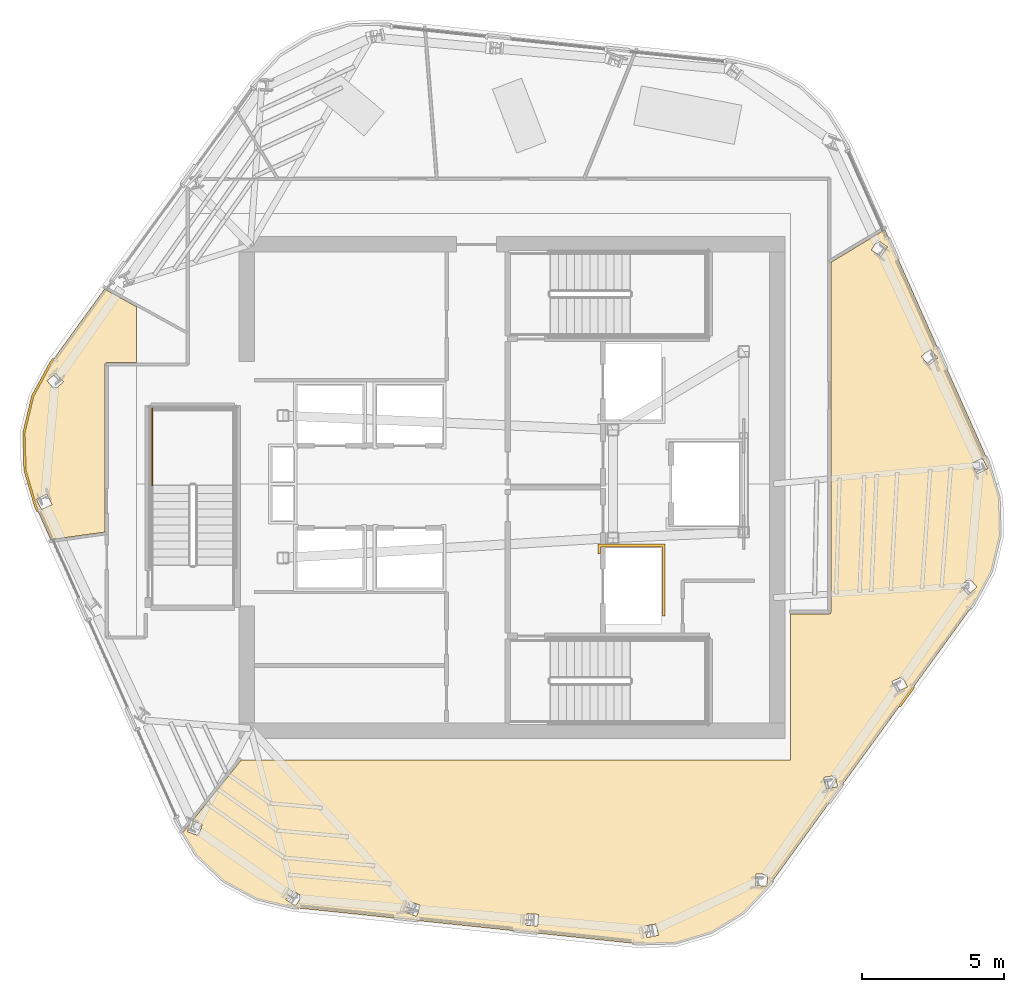
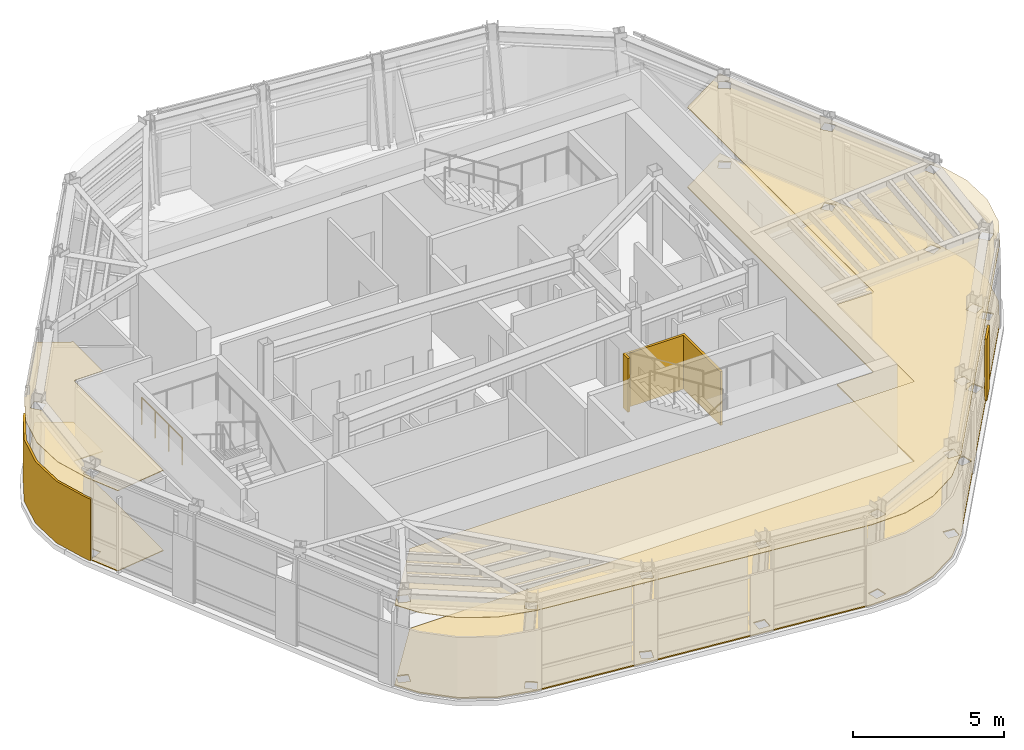
# One storey, part 9 of 12: 7 coverings, 1 railing.
"""IFC4 building model written with IfcOpenShell, lengths in metres."""

import ifcopenshell
import ifcopenshell.guid

model = None  # the IFC model being written
_history = None  # IfcOwnerHistory: only IFC2X3 demands one
_inside = {}  # id of a spatial element -> (the spatial element, [elements in it])
_under = {}  # id of a project, library or spatial element -> (it, [spatial elements below it])
_declared = {}  # id of a project -> (the project, [libraries it declares])
_typed = {}  # id of a type object -> (the type object, [elements of that type])
_made_of = {}  # id of a material, layer set ... -> (it, [elements and type objects made of it])


def new_model(schema):
    """Start an empty IFC model of exactly this schema.

    Asked for "IFC4X3", IfcOpenShell would pick the latest addendum, in which some entities
    have other attributes; the version numbers below select the first issue.
    IFC2X3 requires an IfcOwnerHistory on every rooted entity: one is made here for all.
    """
    global model, _history
    if schema == "IFC4X3":
        model = ifcopenshell.file(schema_version=(4, 3, 0, 0))
    else:
        model = ifcopenshell.file(schema=schema)
    _inside.clear()
    _under.clear()
    _declared.clear()
    _typed.clear()
    _made_of.clear()
    _history = None
    if model.schema == "IFC2X3":
        org = make("IfcOrganization", Name="unknown")
        user = make(
            "IfcPersonAndOrganization",
            ThePerson=make("IfcPerson", FamilyName="unknown"),
            TheOrganization=org,
        )
        app = make(
            "IfcApplication",
            ApplicationDeveloper=org,
            Version="unknown",
            ApplicationFullName="unknown",
            ApplicationIdentifier="unknown",
        )
        _history = make(
            "IfcOwnerHistory",
            OwningUser=user,
            OwningApplication=app,
            ChangeAction="ADDED",
            CreationDate=0,
        )
    return model


def make(cls, **values):
    """One entity of the class cls with the attributes given. An attribute that is None is left unset."""
    return model.create_entity(
        cls, **{name: value for name, value in values.items() if value is not None}
    )


def rooted(cls, **values):
    """An entity with a GlobalId (a new one), such as an element, a storey or a relation."""
    return make(cls, GlobalId=ifcopenshell.guid.new(), OwnerHistory=_history, **values)


def si_unit(unit_type, name, prefix=None):
    """IfcSIUnit, for example si_unit("LENGTHUNIT", "METRE", prefix="MILLI")."""
    return make("IfcSIUnit", UnitType=unit_type, Prefix=prefix, Name=name)


def assignment(units):
    """IfcUnitAssignment: the units of a project."""
    return None if units is None else make("IfcUnitAssignment", Units=units)


def point(xyz):
    """IfcCartesianPoint."""
    return None if xyz is None else make("IfcCartesianPoint", Coordinates=xyz)


def direction(xyz):
    """IfcDirection."""
    return None if xyz is None else make("IfcDirection", DirectionRatios=xyz)


def frame(location, z_axis=None, x_axis=None):
    """IfcAxis2Placement3D, a coordinate frame: its origin and axes. An axis left out is left unset."""
    return make(
        "IfcAxis2Placement3D",
        Location=point(location),
        Axis=direction(z_axis),
        RefDirection=direction(x_axis),
    )


def frame_2d(location, x_axis=None):
    """IfcAxis2Placement2D, a coordinate frame in the plane: its origin and x axis."""
    return make(
        "IfcAxis2Placement2D", Location=point(location), RefDirection=direction(x_axis)
    )


def origin():
    """The frame at (0, 0, 0) with its axes left unset."""
    return frame((0.0, 0.0, 0.0))


def origin_2d():
    """The frame at (0, 0) in the plane with its x axis left unset."""
    return frame_2d((0.0, 0.0))


def place(relative_to, where):
    """IfcLocalPlacement: puts the frame where relative to a parent placement (None: the world)."""
    return make(
        "IfcLocalPlacement", PlacementRelTo=relative_to, RelativePlacement=where
    )


def context(
    kind, dimensions, precision=None, world=None, true_north=None, identifier=None
):
    """IfcGeometricRepresentationContext, for example the 3D "Model" context."""
    return make(
        "IfcGeometricRepresentationContext",
        ContextIdentifier=identifier,
        ContextType=kind,
        CoordinateSpaceDimension=dimensions,
        Precision=precision,
        WorldCoordinateSystem=world,
        TrueNorth=true_north,
    )


def subcontext(parent, identifier, kind, view, scale=None):
    """IfcGeometricRepresentationSubContext, for example "Body" below "Model"."""
    return make(
        "IfcGeometricRepresentationSubContext",
        ContextIdentifier=identifier,
        ContextType=kind,
        ParentContext=parent,
        TargetScale=scale,
        TargetView=view,
    )


def project(units=None, contexts=None):
    """IfcProject with its units and contexts."""
    return rooted(
        "IfcProject",
        Name="project",
        RepresentationContexts=contexts,
        UnitsInContext=assignment(units),
    )


def spatial(cls, under=None, at=None, **own):
    """A site, building, storey or space (cls), placed at a placement, below another one or the project."""
    s = rooted(cls, ObjectPlacement=at, **own)
    if under is not None:
        _under.setdefault(under.id(), (under, []))[1].append(s)
    return s


def polyline(points):
    """IfcPolyline through the points."""
    return make("IfcPolyline", Points=[point(p) for p in points])


def profile(cls, at=None, kind="AREA", **sizes):
    """A parametric profile (cls). Its sizes go by their IFC names, for example OverallWidth=200.0."""
    return make(cls, ProfileType=kind, Position=at, **sizes)


def circle(**sizes):
    """IfcCircleProfileDef."""
    return profile("IfcCircleProfileDef", **sizes)


def outline(outer, holes=None, kind="AREA"):
    """IfcArbitraryClosedProfileDef: a profile drawn as a closed curve; with holes, ...WithVoids."""
    if holes is None:
        return make("IfcArbitraryClosedProfileDef", ProfileType=kind, OuterCurve=outer)
    return make(
        "IfcArbitraryProfileDefWithVoids",
        ProfileType=kind,
        OuterCurve=outer,
        InnerCurves=holes,
    )


def extrude(swept, where, along, depth):
    """IfcExtrudedAreaSolid: the profile swept, set in the frame where, extruded along a direction by depth."""
    return make(
        "IfcExtrudedAreaSolid",
        SweptArea=swept,
        Position=where,
        ExtrudedDirection=direction(along),
        Depth=depth,
    )


def shape(context_of_items, identifier, shape_type, items):
    """IfcShapeRepresentation: the items that make up one representation, for example the "Body"."""
    return make(
        "IfcShapeRepresentation",
        ContextOfItems=context_of_items,
        RepresentationIdentifier=identifier,
        RepresentationType=shape_type,
        Items=items,
    )


def material(Name=None, Category=None):
    """IfcMaterial."""
    return make("IfcMaterial", Name=Name, Category=Category)


def layer(
    of_material, thickness, ventilated=None, Name=None, Category=None, Priority=None
):
    """IfcMaterialLayer: one layer of a wall or slab, of a material (None: an air gap)."""
    return make(
        "IfcMaterialLayer",
        Material=of_material,
        LayerThickness=thickness,
        IsVentilated=ventilated,
        Name=Name,
        Category=Category,
        Priority=Priority,
    )


def layer_set(layers, Name=None):
    """IfcMaterialLayerSet."""
    return make("IfcMaterialLayerSet", MaterialLayers=layers, LayerSetName=Name)


def made_of(thing, what):
    """Note that an element or type object is made of a material, layer set ...; save() writes the relation."""
    if what is not None:
        _made_of.setdefault(what.id(), (what, []))[1].append(thing)
    return thing


def type_object(cls, material=None, **own):
    """A type object (cls), such as IfcWallType, which elements share."""
    return made_of(rooted(cls, **own), material)


def element(
    cls,
    number,
    at=None,
    inside=None,
    cuts=None,
    type_object=None,
    material=None,
    context=None,
    identifier="Body",
    shape_type=None,
    held_by="IfcProductDefinitionShape",
    body=None,
    shapes=None,
    **own,
):
    """One element of the class cls, such as IfcWall. Its Tag is "e" and its number.

    at: its placement. inside: the storey or other place that contains it. cuts: it is an
    opening in that element (IfcRelVoidsElement). A single representation is given by context,
    identifier, shape_type and body (its items); several are given by shapes. held_by: the class
    of the entity that holds the representations. save() writes the other relations.
    """
    e = rooted(cls, Tag="e%d" % number, ObjectPlacement=at, **own)
    if body is not None:
        shapes = [shape(context, identifier, shape_type, body)]
    if shapes is not None:
        e.Representation = make(held_by, Representations=shapes)
    if inside is not None:
        _inside.setdefault(inside.id(), (inside, []))[1].append(e)
    if cuts is not None:
        rooted(
            "IfcRelVoidsElement", RelatingBuildingElement=cuts, RelatedOpeningElement=e
        )
    if type_object is not None:
        _typed.setdefault(type_object.id(), (type_object, []))[1].append(e)
    return made_of(e, material)


def aggregate(whole, parts):
    """IfcRelAggregates: a whole, such as a stair, and the parts it consists of."""
    return rooted("IfcRelAggregates", RelatingObject=whole, RelatedObjects=parts)


def save(model, path):
    """Write the relations noted so far, then the file.

    IfcRelAggregates (storeys below a building ...), IfcRelContainedInSpatialStructure (elements
    in a storey), IfcRelDefinesByType, IfcRelAssociatesMaterial and IfcRelDeclares: one each for
    every whole, place, type object, material and project.
    """
    for whole, parts in _under.values():
        aggregate(whole, parts)
    for where, things in _inside.values():
        rooted(
            "IfcRelContainedInSpatialStructure",
            RelatedElements=things,
            RelatingStructure=where,
        )
    for kind, things in _typed.values():
        rooted("IfcRelDefinesByType", RelatedObjects=things, RelatingType=kind)
    for what, things in _made_of.values():
        rooted("IfcRelAssociatesMaterial", RelatedObjects=things, RelatingMaterial=what)
    for by, libraries in _declared.values():
        rooted("IfcRelDeclares", RelatingContext=by, RelatedDefinitions=libraries)
    model.write(path)


model = new_model("IFC4")

# Units and contexts
model_context = context("Model", 3, precision=1e-05, world=origin(), true_north=direction((0.0, 1.0)))
body_context = subcontext(model_context, "Body", "Model", "MODEL_VIEW")
ifc_project = project(units=[si_unit("LENGTHUNIT", "METRE"), si_unit("AREAUNIT", "SQUARE_METRE"), si_unit("VOLUMEUNIT", "CUBIC_METRE"), si_unit("PLANEANGLEUNIT", "RADIAN"), si_unit("MASSUNIT", "GRAM", prefix="KILO")], contexts=[model_context])

# Site, building, storey
site_placement = place(None, origin())
site = spatial("IfcSite", under=ifc_project, at=site_placement, CompositionType="ELEMENT")
building_placement = place(site_placement, origin())
building = spatial("IfcBuilding", under=site, at=building_placement, Name="Valkerne Bourse Tower", CompositionType="ELEMENT")
storey_placement = place(building_placement, frame((0.0, 0.0, 258.39990234375)))
storey = spatial("IfcBuildingStorey", under=building, at=storey_placement, Name="L65", CompositionType="ELEMENT", Elevation=258.39990234375)

# Coverings
ifc_material_1 = material(Name="Mineral Fiber Acoustic Ceiling Tile", Category="acoustic")
ifc_layer_1 = layer(ifc_material_1, 0.02490234375)
ifc_layer_set_1 = layer_set([ifc_layer_1], Name="Mineral Fiber Acoustic Ceiling Tile")
covering_type_1 = type_object("IfcCoveringType", Name="COV-CEIL-ACT", PredefinedType="CEILING", material=ifc_layer_set_1)
covering_1_placement = place(storey_placement, frame((0.0, 0.0, 3.25)))
element("IfcCovering", 1, at=covering_1_placement, inside=storey, type_object=covering_type_1, Name="L65 Suspended Ceiling 03", PredefinedType="CEILING", context=body_context, shape_type="SweptSolid", body=[
    extrude(outline(polyline([(29.64404296875, 28.802978515625), (29.9521484375, 30.086181640625), (30.58642578125, 31.25439453125), (32.4716796875, 33.84912109375), (33.60009765625, 33.226318359375), (33.60009765625, 31.26904296875), (32.54931640625, 31.26904296875), (32.50927734375, 31.255859375), (32.485107421875, 31.2236328125), (32.48095703125, 25.30712890625), (30.57666015625, 25.040771484375), (30.05615234375, 26.209716796875), (29.6787109375, 27.48388671875), (29.64404296875, 28.802978515625)]), holes=[polyline([(30.625, 26.273681640625), (30.4462890625, 26.64111328125), (30.080322265625, 26.4638671875), (30.08056640625, 26.46142578125), (30.25927734375, 26.093994140625), (30.625244140625, 26.271240234375), (30.625, 26.273681640625)]), polyline([(31.028564453125, 30.58740234375), (30.761474609375, 30.893798828125), (30.452880859375, 30.6259765625), (30.452392578125, 30.62353515625), (30.719482421875, 30.317138671875), (31.028076171875, 30.585205078125), (31.028564453125, 30.58740234375)])]), origin(), (0.0, 0.0, 1.0), 0.025146484375),
])
covering_2_placement = place(storey_placement, frame((0.0, 0.0, 3.25)))
element("IfcCovering", 2, at=covering_2_placement, inside=storey, type_object=covering_type_1, Name="L65 Suspended Ceiling 07", PredefinedType="CEILING", context=body_context, shape_type="SweptSolid", body=[
    extrude(outline(polyline([(63.647705078125, 23.913818359375), (63.013671875, 22.74560546875), (55.8564453125, 12.89453125), (54.94140625, 11.930419921875), (53.81640625, 11.2412109375), (52.551025390625, 10.8662109375), (51.222412109375, 10.83154296875), (39.112548828125, 12.104248046875), (37.820068359375, 12.41455078125), (36.660400390625, 13.044189453125), (35.703369140625, 13.952392578125), (35.224853515625, 14.733154296875), (35.487548828125, 15.060302734375), (35.387451171875, 14.76953125), (35.38916015625, 14.767822265625), (35.775634765625, 14.635498046875), (35.908203125, 15.02001953125), (35.90625, 15.021484375), (35.5537109375, 15.142333984375), (37.2861328125, 17.300048828125), (56.60009765625, 17.300048828125), (56.60009765625, 22.430908203125), (57.95361328125, 22.43115234375), (57.9970703125, 22.44921875), (58.018798828125, 22.495361328125), (58.01904296875, 34.7939453125), (59.91552734375, 35.939453125), (63.543701171875, 27.790283203125), (63.921142578125, 26.51611328125), (63.955810546875, 25.197021484375), (63.647705078125, 23.913818359375)]), holes=[polyline([(43.1962890625, 12.31689453125), (43.194091796875, 12.3173828125), (43.057861328125, 11.931396484375), (43.440673828125, 11.796142578125), (43.44287109375, 11.795654296875), (43.5791015625, 12.181396484375), (43.1962890625, 12.31689453125)]), polyline([(39.07177734375, 12.722900390625), (39.069580078125, 12.72412109375), (38.84033203125, 12.385009765625), (39.17626953125, 12.157470703125), (39.17822265625, 12.15625), (39.40771484375, 12.4951171875), (39.07177734375, 12.722900390625)]), polyline([(51.947021484375, 11.12744140625), (51.868408203125, 11.529296875), (51.47021484375, 11.45166015625), (51.4677734375, 11.450927734375), (51.546142578125, 11.04931640625), (51.944580078125, 11.126708984375), (51.947021484375, 11.12744140625)]), polyline([(47.729736328125, 11.864013671875), (47.324462890625, 11.89013671875), (47.322265625, 11.889892578125), (47.296142578125, 11.481689453125), (47.701416015625, 11.45556640625), (47.70361328125, 11.45556640625), (47.729736328125, 11.864013671875)]), polyline([(55.79052734375, 13.260986328125), (55.3828125, 13.290771484375), (55.380859375, 13.28955078125), (55.35205078125, 12.884033203125), (55.759765625, 12.854248046875), (55.76171875, 12.85546875), (55.79052734375, 13.260986328125)]), polyline([(58.239990234375, 16.351318359375), (58.1650390625, 16.7509765625), (57.76318359375, 16.676513671875), (57.76171875, 16.6748046875), (57.83642578125, 16.275390625), (58.23828125, 16.349853515625), (58.239990234375, 16.351318359375)]), polyline([(60.704345703125, 19.86328125), (60.523681640625, 20.227294921875), (60.156982421875, 20.04638671875), (60.156005859375, 20.04443359375), (60.3369140625, 19.680419921875), (60.703125, 19.861328125), (60.704345703125, 19.86328125)]), polyline([(63.147705078125, 23.37646484375), (62.880615234375, 23.682861328125), (62.572021484375, 23.414794921875), (62.5712890625, 23.41259765625), (62.838623046875, 23.106201171875), (63.147216796875, 23.3740234375), (63.147705078125, 23.37646484375)]), polyline([(63.51953125, 27.53857421875), (63.3408203125, 27.906005859375), (62.974853515625, 27.728759765625), (62.974853515625, 27.726318359375), (63.153564453125, 27.35888671875), (63.51953125, 27.5361328125), (63.51953125, 27.53857421875)]), polyline([(61.769287109375, 31.434814453125), (61.50341796875, 31.7451171875), (61.1943359375, 31.480712890625), (61.195068359375, 31.478515625), (61.4609375, 31.16845703125), (61.77001953125, 31.4326171875), (61.769287109375, 31.434814453125)]), polyline([(59.99951171875, 35.337890625), (59.6591796875, 35.564208984375), (59.43359375, 35.225830078125), (59.434814453125, 35.22412109375), (59.775146484375, 34.997802734375), (60.000732421875, 35.336181640625), (59.99951171875, 35.337890625)])]), origin(), (0.0, 0.0, 1.0), 0.025146484375),
])
ifc_material_2 = material(Name="Bronze Anodised Aluminium AA 6063-T6", Category="aluminium")
ifc_layer_2 = layer(ifc_material_2, 0.06005859375)
ifc_layer_set_2 = layer_set([ifc_layer_2], Name="Bronze Anodised Aluminium AA 6063-T6")
covering_type_2 = type_object("IfcCoveringType", Name="COV-CRN-ALUM", PredefinedType="CLADDING", material=ifc_layer_set_2)
covering_3_placement = place(storey_placement, origin())
element("IfcCovering", 3, at=covering_3_placement, inside=storey, type_object=covering_type_2, Name="L65 Wind-Shaped Corner Aluminium Cladding 02", PredefinedType="CLADDING", context=body_context, shape_type="SweptSolid", body=[
    extrude(outline(polyline([(60.461669921875, 19.158203125), (60.39697265625, 19.205322265625), (60.890380859375, 19.885009765625), (60.955322265625, 19.837890625), (60.461669921875, 19.158203125)])), origin(), (0.0, 0.0, 1.0), 2.5),
])
covering_4_placement = place(storey_placement, origin())
element("IfcCovering", 4, at=covering_4_placement, inside=storey, type_object=covering_type_2, Name="L65 Wind-Shaped Corner Aluminium Cladding 10", PredefinedType="CLADDING", context=body_context, shape_type="SweptSolid", body=[
    extrude(outline(polyline([(30.014892578125, 26.194580078125), (29.635009765625, 27.47705078125), (29.60009765625, 28.807861328125), (29.910888671875, 30.102294921875), (30.54931640625, 31.27783203125), (30.66259765625, 31.43408203125), (30.727294921875, 31.386962890625), (30.616943359375, 31.235107421875), (29.986083984375, 30.0732421875), (29.680419921875, 28.79931640625), (29.714599609375, 27.48974609375), (30.090087890625, 26.22216796875), (30.16650390625, 26.050537109375), (30.093505859375, 26.017822265625), (30.014892578125, 26.194580078125)])), origin(), (0.0, 0.0, 1.0), 2.5),
])
ifc_material_3 = material(Name="Galvanised Painted Steel", Category="steel")
ifc_layer_3 = layer(ifc_material_3, 0.044921875)
ifc_layer_set_3 = layer_set([ifc_layer_3], Name="Galvanised Painted Steel")
covering_type_3 = type_object("IfcCoveringType", Name="COV-FLR-RAF", PredefinedType="FLOORING", material=ifc_layer_set_3)
covering_5_placement = place(storey_placement, origin())
element("IfcCovering", 5, at=covering_5_placement, inside=storey, type_object=covering_type_3, Name="L65 Floor Finish 07", PredefinedType="FLOORING", context=body_context, shape_type="SweptSolid", body=[
    extrude(outline(polyline([(63.647705078125, 23.913818359375), (63.013671875, 22.74560546875), (55.8564453125, 12.89453125), (54.94140625, 11.930419921875), (53.81640625, 11.2412109375), (52.551025390625, 10.8662109375), (51.222412109375, 10.83154296875), (39.112548828125, 12.104248046875), (37.820068359375, 12.41455078125), (36.660400390625, 13.044189453125), (35.703369140625, 13.952392578125), (35.224853515625, 14.733154296875), (35.487548828125, 15.060302734375), (35.387451171875, 14.76953125), (35.38916015625, 14.767822265625), (35.775634765625, 14.635498046875), (35.908203125, 15.02001953125), (35.90625, 15.021484375), (35.5537109375, 15.142333984375), (37.2861328125, 17.300048828125), (56.60009765625, 17.300048828125), (56.60009765625, 22.430908203125), (57.95361328125, 22.43115234375), (57.9970703125, 22.44921875), (58.018798828125, 22.495361328125), (58.01904296875, 34.7939453125), (59.91552734375, 35.939453125), (63.543701171875, 27.790283203125), (63.921142578125, 26.51611328125), (63.955810546875, 25.197021484375), (63.647705078125, 23.913818359375)]), holes=[polyline([(43.1962890625, 12.31689453125), (43.194091796875, 12.3173828125), (43.057861328125, 11.931396484375), (43.440673828125, 11.796142578125), (43.44287109375, 11.795654296875), (43.5791015625, 12.181396484375), (43.1962890625, 12.31689453125)]), polyline([(39.07177734375, 12.722900390625), (39.069580078125, 12.72412109375), (38.84033203125, 12.385009765625), (39.17626953125, 12.157470703125), (39.17822265625, 12.15625), (39.40771484375, 12.4951171875), (39.07177734375, 12.722900390625)]), polyline([(51.947021484375, 11.12744140625), (51.868408203125, 11.529296875), (51.47021484375, 11.45166015625), (51.4677734375, 11.450927734375), (51.546142578125, 11.04931640625), (51.944580078125, 11.126708984375), (51.947021484375, 11.12744140625)]), polyline([(47.729736328125, 11.864013671875), (47.324462890625, 11.89013671875), (47.322265625, 11.889892578125), (47.296142578125, 11.481689453125), (47.701416015625, 11.45556640625), (47.70361328125, 11.45556640625), (47.729736328125, 11.864013671875)]), polyline([(55.79052734375, 13.260986328125), (55.3828125, 13.290771484375), (55.380859375, 13.28955078125), (55.35205078125, 12.884033203125), (55.759765625, 12.854248046875), (55.76171875, 12.85546875), (55.79052734375, 13.260986328125)]), polyline([(58.239990234375, 16.351318359375), (58.1650390625, 16.7509765625), (57.76318359375, 16.676513671875), (57.76171875, 16.6748046875), (57.83642578125, 16.275390625), (58.23828125, 16.349853515625), (58.239990234375, 16.351318359375)]), polyline([(60.704345703125, 19.86328125), (60.523681640625, 20.227294921875), (60.156982421875, 20.04638671875), (60.156005859375, 20.04443359375), (60.3369140625, 19.680419921875), (60.703125, 19.861328125), (60.704345703125, 19.86328125)]), polyline([(63.147705078125, 23.37646484375), (62.880615234375, 23.682861328125), (62.572021484375, 23.414794921875), (62.5712890625, 23.41259765625), (62.838623046875, 23.106201171875), (63.147216796875, 23.3740234375), (63.147705078125, 23.37646484375)]), polyline([(63.51953125, 27.53857421875), (63.3408203125, 27.906005859375), (62.974853515625, 27.728759765625), (62.974853515625, 27.726318359375), (63.153564453125, 27.35888671875), (63.51953125, 27.5361328125), (63.51953125, 27.53857421875)]), polyline([(61.769287109375, 31.434814453125), (61.50341796875, 31.7451171875), (61.1943359375, 31.480712890625), (61.195068359375, 31.478515625), (61.4609375, 31.16845703125), (61.77001953125, 31.4326171875), (61.769287109375, 31.434814453125)]), polyline([(59.99951171875, 35.337890625), (59.6591796875, 35.564208984375), (59.43359375, 35.225830078125), (59.434814453125, 35.22412109375), (59.775146484375, 34.997802734375), (60.000732421875, 35.336181640625), (59.99951171875, 35.337890625)])]), origin(), (0.0, 0.0, 1.0), 0.045166015625),
])
ifc_material_4 = material(Name="Polished Granite Stone", Category="masonry")
ifc_layer_4 = layer(ifc_material_4, 0.030029296875)
ifc_layer_set_4 = layer_set([ifc_layer_4], Name="Polished Granite Stone")
covering_type_4 = type_object("IfcCoveringType", Name="COV-FLR-TERRAZZO", PredefinedType="FLOORING", material=ifc_layer_set_4)
covering_6_placement = place(storey_placement, origin())
element("IfcCovering", 6, at=covering_6_placement, inside=storey, type_object=covering_type_4, Name="L65 Floor Finish 03", PredefinedType="FLOORING", context=body_context, shape_type="SweptSolid", body=[
    extrude(outline(polyline([(29.64404296875, 28.802978515625), (29.9521484375, 30.086181640625), (30.58642578125, 31.25439453125), (32.4716796875, 33.84912109375), (33.60009765625, 33.226318359375), (33.60009765625, 31.26904296875), (32.54931640625, 31.26904296875), (32.50927734375, 31.255859375), (32.485107421875, 31.2236328125), (32.48095703125, 25.30712890625), (30.57666015625, 25.040771484375), (30.05615234375, 26.209716796875), (29.6787109375, 27.48388671875), (29.64404296875, 28.802978515625)]), holes=[polyline([(30.625, 26.273681640625), (30.4462890625, 26.64111328125), (30.080322265625, 26.4638671875), (30.08056640625, 26.46142578125), (30.25927734375, 26.093994140625), (30.625244140625, 26.271240234375), (30.625, 26.273681640625)]), polyline([(31.028564453125, 30.58740234375), (30.761474609375, 30.893798828125), (30.452880859375, 30.6259765625), (30.452392578125, 30.62353515625), (30.719482421875, 30.317138671875), (31.028076171875, 30.585205078125), (31.028564453125, 30.58740234375)])]), origin(), (0.0, 0.0, 1.0), 0.030029296875),
])
ifc_material_5 = material(Name="Gypsum Shaftwall Liner Board", Category="gypsum")
ifc_layer_5 = layer(ifc_material_5, 0.080078125)
ifc_layer_set_5 = layer_set([ifc_layer_5], Name="Gypsum Shaftwall Liner Board")
covering_type_5 = type_object("IfcCoveringType", Name="COV-SHF-CLAD", PredefinedType="CLADDING", material=ifc_layer_set_5)
covering_7_placement = place(storey_placement, origin())
element("IfcCovering", 7, at=covering_7_placement, inside=storey, type_object=covering_type_5, Name="L65 Hoistway & Riser Shaftwall Liner 01", PredefinedType="CLADDING", context=body_context, shape_type="SweptSolid", body=[
    extrude(outline(polyline([(52.179931640625, 24.8798828125), (52.179931640625, 22.35009765625), (52.090087890625, 22.35009765625), (52.090087890625, 24.7900390625), (49.909912109375, 24.7900390625), (49.909912109375, 24.560791015625), (49.869384765625, 24.550537109375), (49.827880859375, 24.53564453125), (49.820068359375, 24.531982421875), (49.820068359375, 24.8798828125), (52.179931640625, 24.8798828125)])), origin(), (0.0, 0.0, 1.0), 2.18017578125),
])

# Railing
railing_type = type_object("IfcRailingType", Name="RLG-ST-GUARD-1120", PredefinedType="GUARDRAIL", material=ifc_material_3)
railing_placement = place(storey_placement, frame((34.14990234375, 26.949951171875, 1.900146484375)))
element("IfcRailing", 8, at=railing_placement, inside=storey, type_object=railing_type, Name="L65 ST-3 stair guard 4", PredefinedType="GUARDRAIL", context=body_context, shape_type="SweptSolid", body=[
    extrude(circle(Radius=0.02392578125, at=origin_2d()), frame((0.0, 0.0, 1.09619140625), z_axis=(0.0, 1.0, 0.0), x_axis=(-1.0, 0.0, 0.0)), (0.0, 0.0, 1.0), 2.699951171875),
    extrude(circle(Radius=0.02099609375, at=origin_2d()), origin(), (0.0, 0.0, 1.0), 1.072021484375),
    extrude(circle(Radius=0.02099609375, at=origin_2d()), frame((0.0, 0.89990234375, 0.0)), (0.0, 0.0, 1.0), 1.072021484375),
    extrude(circle(Radius=0.02099609375, at=origin_2d()), frame((0.0, 1.800048828125, 0.0)), (0.0, 0.0, 1.0), 1.072021484375),
    extrude(circle(Radius=0.02099609375, at=origin_2d()), frame((0.0, 2.699951171875, 0.0)), (0.0, 0.0, 1.0), 1.072021484375),
])

save(model, "model.ifc")
